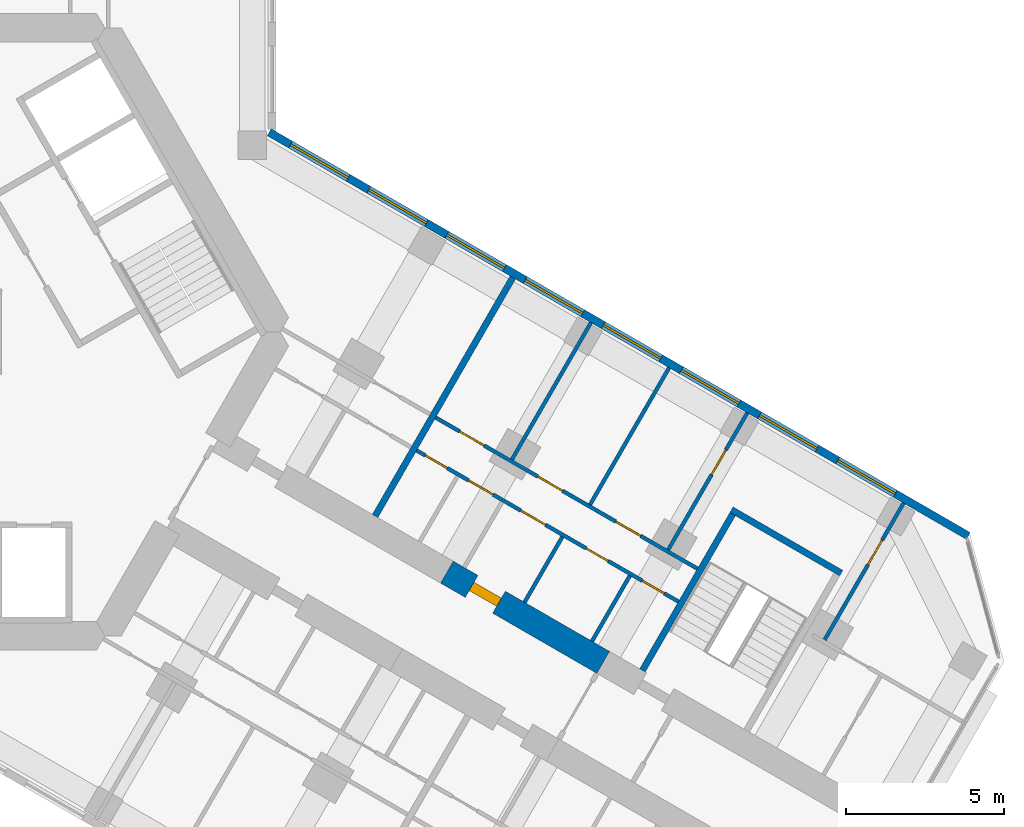
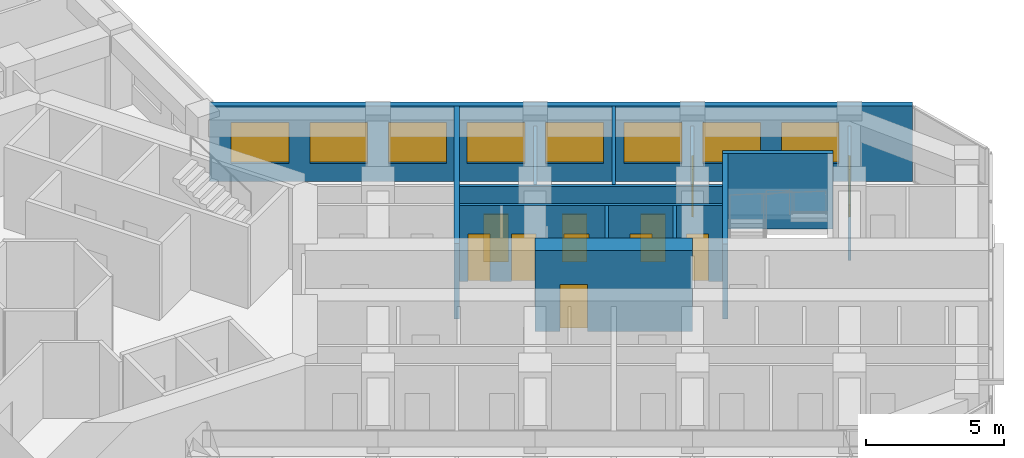
# One storey, part 16 of 20: 13 walls, 11 doors, 8 windows, 19 openings.
"""IFC4 building model written with IfcOpenShell, lengths in metres."""

from ifc_helpers import new_model, si_unit, direction, frame, frame_2d, origin, place, context, subcontext, project, spatial, rectangle, extrude, material, layer, layer_set, type_object, element, fill, save


model = new_model("IFC4")

# Units and contexts
model_context = context("Model", 3, precision=1e-05, world=origin(), true_north=direction((0.0, 1.0)))
body_context = subcontext(model_context, "Body", "Model", "MODEL_VIEW")
ifc_project = project(units=[si_unit("LENGTHUNIT", "METRE"), si_unit("AREAUNIT", "SQUARE_METRE"), si_unit("VOLUMEUNIT", "CUBIC_METRE"), si_unit("PLANEANGLEUNIT", "RADIAN"), si_unit("MASSUNIT", "GRAM", prefix="KILO")], contexts=[model_context])

# Site, building, storey
site_placement = place(None, origin())
site = spatial("IfcSite", under=ifc_project, at=site_placement, CompositionType="ELEMENT")
building_placement = place(site_placement, origin())
building = spatial("IfcBuilding", under=site, at=building_placement, Name="Kosmar Iwan School Tower", CompositionType="ELEMENT")
storey_placement = place(building_placement, frame((0.0, 0.0, 179.60009765625)))
storey = spatial("IfcBuildingStorey", under=building, at=storey_placement, Name="L45", CompositionType="ELEMENT", Elevation=179.60009765625)

# Wall, opening, door
ifc_material_1 = material(Name="Concrete C50/60", Category="concrete")
ifc_layer_1 = layer(ifc_material_1, 0.800048828125)
ifc_layer_set_1 = layer_set([ifc_layer_1], Name="Corridor buttress wall 800")
wall_type_1 = type_object("IfcWallType", Name="Corridor buttress wall 800", PredefinedType="SHEAR", material=ifc_layer_set_1)
wall_1_placement = place(storey_placement, frame((16.34521484375, -7.58935546875, 0.0), z_axis=(0.0, 0.0, 1.0), x_axis=(0.866015111908, -0.50001782563, 0.0)))
wall_1 = element("IfcWall", 1, at=wall_1_placement, inside=storey, type_object=wall_type_1, Name="Corridor wall CL bay 2", PredefinedType="SHEAR", context=body_context, shape_type="SweptSolid", body=[
    extrude(rectangle(XDim=5.699951171875, YDim=0.800048828125, at=frame_2d((2.85009765625, 0.0))), origin(), (0.0, 0.0, 1.0), 3.599853515625),
])
opening_1_placement = place(wall_1_placement, frame((0.89990234375, 0.0, 0.0)))
opening_1 = element("IfcOpeningElement", 2, at=opening_1_placement, cuts=wall_1, Name="Opening D1", PredefinedType="OPENING", context=body_context, shape_type="SweptSolid", body=[
    extrude(rectangle(XDim=1.0, YDim=2.10009765625, at=frame_2d((0.5, 1.050048828125))), frame((0.0, 0.412109375, 0.0), z_axis=(0.0, -1.0, 0.0), x_axis=(1.0, 0.0, 0.0)), (0.0, 0.0, 1.0), 0.823974609375),
])
ifc_material_2 = material(Name="Timber fire door in steel frame", Category="steel")
door_type_1 = type_object("IfcDoorType", Name="Flat entrance door 1000x2100", OperationType="SINGLE_SWING_LEFT", PredefinedType="DOOR", material=ifc_material_2)
door_1_placement = place(opening_1_placement, origin())
door_1 = element("IfcDoor", 3, at=door_1_placement, inside=storey, type_object=door_type_1, Name="Flat L45-CL2 entrance door", OperationType="SINGLE_SWING_LEFT", OverallHeight=2.10009765625, OverallWidth=1.0, PredefinedType="DOOR", context=body_context, shape_type="SweptSolid", body=[
    extrude(rectangle(XDim=1.0, YDim=2.10009765625, at=frame_2d((0.5, 1.050048828125))), frame((0.0, 0.14990234375, 0.0), z_axis=(0.0, -1.0, 0.0), x_axis=(1.0, 0.0, 0.0)), (0.0, 0.0, 1.0), 0.300048828125),
])
fill(opening_1, door_1)

# Wall, openings, doors
ifc_material_3 = material(Name="Gypsum board on steel studs", Category="steel")
ifc_layer_2 = layer(ifc_material_3, 0.1201171875)
ifc_layer_set_2 = layer_set([ifc_layer_2], Name="Dwelling partition 120")
wall_type_2 = type_object("IfcWallType", Name="Dwelling partition 120", PredefinedType="PARTITIONING", material=ifc_layer_set_2)
wall_2_placement = place(storey_placement, frame((15.388671875, -3.74609375, 0.0), z_axis=(0.0, 0.0, 1.0), x_axis=(0.866017851049, -0.500013081493, 0.0)))
wall_2 = element("IfcWall", 4, at=wall_2_placement, inside=storey, type_object=wall_type_2, Name="Partition L45-CL2-W1", PredefinedType="PARTITIONING", context=body_context, shape_type="SweptSolid", body=[
    extrude(rectangle(XDim=9.550048828125, YDim=0.1201171875, at=frame_2d((4.77490234375, 0.0))), origin(), (0.0, 0.0, 1.0), 3.349853515625),
])
opening_2_placement = place(wall_2_placement, frame((0.3125, 0.0, 0.0)))
opening_2 = element("IfcOpeningElement", 5, at=opening_2_placement, cuts=wall_2, Name="Opening D3", PredefinedType="OPENING", context=body_context, shape_type="SweptSolid", body=[
    extrude(rectangle(XDim=0.800048828125, YDim=2.10009765625, at=frame_2d((0.39990234375, 1.050048828125))), frame((0.0, 0.072021484375, 0.0), z_axis=(0.0, -1.0, 0.0), x_axis=(1.0, 0.0, 0.0)), (0.0, 0.0, 1.0), 0.14404296875),
])
opening_3_placement = place(wall_2_placement, frame((1.887451171875, 0.0, 0.0)))
opening_3 = element("IfcOpeningElement", 6, at=opening_3_placement, cuts=wall_2, Name="Opening D2", PredefinedType="OPENING", context=body_context, shape_type="SweptSolid", body=[
    extrude(rectangle(XDim=0.89990234375, YDim=2.10009765625, at=frame_2d((0.449951171875, 1.050048828125))), frame((0.0, 0.072021484375, 0.0), z_axis=(0.0, -1.0, 0.0), x_axis=(1.0, 0.0, 0.0)), (0.0, 0.0, 1.0), 0.14404296875),
])
opening_4_placement = place(wall_2_placement, frame((3.800048828125, 0.0, 0.0)))
opening_4 = element("IfcOpeningElement", 7, at=opening_4_placement, cuts=wall_2, Name="Opening D2", PredefinedType="OPENING", context=body_context, shape_type="SweptSolid", body=[
    extrude(rectangle(XDim=0.89990234375, YDim=2.10009765625, at=frame_2d((0.449951171875, 1.050048828125))), frame((0.0, 0.072021484375, 0.0), z_axis=(0.0, -1.0, 0.0), x_axis=(1.0, 0.0, 0.0)), (0.0, 0.0, 1.0), 0.14404296875),
])
opening_5_placement = place(wall_2_placement, frame((6.179931640625, 0.0, 0.0)))
opening_5 = element("IfcOpeningElement", 8, at=opening_5_placement, cuts=wall_2, Name="Opening D3", PredefinedType="OPENING", context=body_context, shape_type="SweptSolid", body=[
    extrude(rectangle(XDim=0.800048828125, YDim=2.10009765625, at=frame_2d((0.39990234375, 1.050048828125))), frame((0.0, 0.072021484375, 0.0), z_axis=(0.0, -1.0, 0.0), x_axis=(1.0, 0.0, 0.0)), (0.0, 0.0, 1.0), 0.14404296875),
])
opening_6_placement = place(wall_2_placement, frame((8.22998046875, 0.0, 0.0)))
opening_6 = element("IfcOpeningElement", 9, at=opening_6_placement, cuts=wall_2, Name="Opening D3", PredefinedType="OPENING", context=body_context, shape_type="SweptSolid", body=[
    extrude(rectangle(XDim=0.800048828125, YDim=2.10009765625, at=frame_2d((0.39990234375, 1.050048828125))), frame((0.0, 0.072021484375, 0.0), z_axis=(0.0, -1.0, 0.0), x_axis=(1.0, 0.0, 0.0)), (0.0, 0.0, 1.0), 0.14404296875),
])
ifc_material_4 = material(Name="Timber door in timber frame", Category="wood")
door_type_2 = type_object("IfcDoorType", Name="Internal door 900x2100", OperationType="SINGLE_SWING_LEFT", PredefinedType="DOOR", material=ifc_material_4)
door_2_placement = place(opening_3_placement, frame((0.89990234375, 0.0, 0.0), z_axis=(0.0, 0.0, 1.0), x_axis=(-1.0, 0.0, 0.0)))
door_2 = element("IfcDoor", 10, at=door_2_placement, inside=storey, type_object=door_type_2, Name="Pantry door L45-CL2-S2", OperationType="SINGLE_SWING_RIGHT", OverallHeight=2.10009765625, OverallWidth=0.89990234375, PredefinedType="DOOR", context=body_context, shape_type="SweptSolid", body=[
    extrude(rectangle(XDim=0.89990234375, YDim=2.10009765625, at=frame_2d((0.449951171875, 1.050048828125))), frame((0.0, 0.02490234375, 0.0), z_axis=(0.0, -1.0, 0.0), x_axis=(1.0, 0.0, 0.0)), (0.0, 0.0, 1.0), 0.050048828125),
])
fill(opening_3, door_2)
door_3_placement = place(opening_4_placement, origin())
door_3 = element("IfcDoor", 11, at=door_3_placement, inside=storey, type_object=door_type_2, Name="Entrance hall door L45-CL2-S3", OperationType="SINGLE_SWING_LEFT", OverallHeight=2.10009765625, OverallWidth=0.89990234375, PredefinedType="DOOR", context=body_context, shape_type="SweptSolid", body=[
    extrude(rectangle(XDim=0.89990234375, YDim=2.10009765625, at=frame_2d((0.449951171875, 1.050048828125))), frame((0.0, 0.02490234375, 0.0), z_axis=(0.0, -1.0, 0.0), x_axis=(1.0, 0.0, 0.0)), (0.0, 0.0, 1.0), 0.050048828125),
])
fill(opening_4, door_3)
ifc_material_5 = material(Name="Timber door in timber frame", Category="wood")
door_type_3 = type_object("IfcDoorType", Name="Sanitary room door 800x2100", OperationType="SINGLE_SWING_LEFT", PredefinedType="DOOR", material=ifc_material_5)
door_4_placement = place(opening_2_placement, origin())
door_4 = element("IfcDoor", 12, at=door_4_placement, inside=storey, type_object=door_type_3, Name="Store door L45-CL2-S1", OperationType="SINGLE_SWING_LEFT", OverallHeight=2.10009765625, OverallWidth=0.800048828125, PredefinedType="DOOR", context=body_context, shape_type="SweptSolid", body=[
    extrude(rectangle(XDim=0.800048828125, YDim=2.10009765625, at=frame_2d((0.39990234375, 1.050048828125))), frame((0.0, 0.02490234375, 0.0), z_axis=(0.0, -1.0, 0.0), x_axis=(1.0, 0.0, 0.0)), (0.0, 0.0, 1.0), 0.050048828125),
])
fill(opening_2, door_4)
door_5_placement = place(opening_5_placement, origin())
door_5 = element("IfcDoor", 13, at=door_5_placement, inside=storey, type_object=door_type_3, Name="Bathroom door L45-CL2-S4", OperationType="SINGLE_SWING_RIGHT", OverallHeight=2.10009765625, OverallWidth=0.800048828125, PredefinedType="DOOR", context=body_context, shape_type="SweptSolid", body=[
    extrude(rectangle(XDim=0.800048828125, YDim=2.10009765625, at=frame_2d((0.39990234375, 1.050048828125))), frame((0.0, 0.02490234375, 0.0), z_axis=(0.0, -1.0, 0.0), x_axis=(1.0, 0.0, 0.0)), (0.0, 0.0, 1.0), 0.050048828125),
])
fill(opening_5, door_5)
door_6_placement = place(opening_6_placement, origin())
door_6 = element("IfcDoor", 14, at=door_6_placement, inside=storey, type_object=door_type_3, Name="WC door L45-CL2-S5", OperationType="SINGLE_SWING_RIGHT", OverallHeight=2.10009765625, OverallWidth=0.800048828125, PredefinedType="DOOR", context=body_context, shape_type="SweptSolid", body=[
    extrude(rectangle(XDim=0.800048828125, YDim=2.10009765625, at=frame_2d((0.39990234375, 1.050048828125))), frame((0.0, 0.02490234375, 0.0), z_axis=(0.0, -1.0, 0.0), x_axis=(1.0, 0.0, 0.0)), (0.0, 0.0, 1.0), 0.050048828125),
])
fill(opening_6, door_6)

wall_3_placement = place(storey_placement, frame((15.988525390625, -2.70703125, 0.0), z_axis=(0.0, 0.0, 1.0), x_axis=(0.866028920859, -0.499993908199, 0.0)))
wall_3 = element("IfcWall", 15, at=wall_3_placement, inside=storey, type_object=wall_type_2, Name="Partition L45-CL2-W2", PredefinedType="PARTITIONING", context=body_context, shape_type="SweptSolid", body=[
    extrude(rectangle(XDim=9.5498046875, YDim=0.1201171875, at=frame_2d((4.77490234375, 0.0))), origin(), (0.0, 0.0, 1.0), 3.349853515625),
])
opening_7_placement = place(wall_3_placement, frame((0.875, 0.0, 0.0)))
opening_7 = element("IfcOpeningElement", 16, at=opening_7_placement, cuts=wall_3, Name="Opening D2", PredefinedType="OPENING", context=body_context, shape_type="SweptSolid", body=[
    extrude(rectangle(XDim=0.89990234375, YDim=2.10009765625, at=frame_2d((0.449951171875, 1.050048828125))), frame((0.0, 0.072021484375, 0.0), z_axis=(0.0, -1.0, 0.0), x_axis=(1.0, 0.0, 0.0)), (0.0, 0.0, 1.0), 0.14404296875),
])
opening_8_placement = place(wall_3_placement, frame((3.72509765625, 0.0, 0.0)))
opening_8 = element("IfcOpeningElement", 17, at=opening_8_placement, cuts=wall_3, Name="Opening D2", PredefinedType="OPENING", context=body_context, shape_type="SweptSolid", body=[
    extrude(rectangle(XDim=0.89990234375, YDim=2.10009765625, at=frame_2d((0.449951171875, 1.050048828125))), frame((0.0, 0.072021484375, 0.0), z_axis=(0.0, -1.0, 0.0), x_axis=(1.0, 0.0, 0.0)), (0.0, 0.0, 1.0), 0.14404296875),
])
opening_9_placement = place(wall_3_placement, frame((6.574951171875, 0.0, 0.0)))
opening_9 = element("IfcOpeningElement", 18, at=opening_9_placement, cuts=wall_3, Name="Opening D2", PredefinedType="OPENING", context=body_context, shape_type="SweptSolid", body=[
    extrude(rectangle(XDim=0.89990234375, YDim=2.10009765625, at=frame_2d((0.449951171875, 1.050048828125))), frame((0.0, 0.072021484375, 0.0), z_axis=(0.0, -1.0, 0.0), x_axis=(1.0, 0.0, 0.0)), (0.0, 0.0, 1.0), 0.14404296875),
])
door_7_placement = place(opening_7_placement, origin())
door_7 = element("IfcDoor", 19, at=door_7_placement, inside=storey, type_object=door_type_2, Name="Guest reception room door L45-CL2-F1", OperationType="SINGLE_SWING_RIGHT", OverallHeight=2.10009765625, OverallWidth=0.89990234375, PredefinedType="DOOR", context=body_context, shape_type="SweptSolid", body=[
    extrude(rectangle(XDim=0.89990234375, YDim=2.10009765625, at=frame_2d((0.449951171875, 1.050048828125))), frame((0.0, 0.02490234375, 0.0), z_axis=(0.0, -1.0, 0.0), x_axis=(1.0, 0.0, 0.0)), (0.0, 0.0, 1.0), 0.050048828125),
])
fill(opening_7, door_7)
door_8_placement = place(opening_8_placement, origin())
door_8 = element("IfcDoor", 20, at=door_8_placement, inside=storey, type_object=door_type_2, Name="Family room and kitchen door L45-CL2-F2", OperationType="SINGLE_SWING_LEFT", OverallHeight=2.10009765625, OverallWidth=0.89990234375, PredefinedType="DOOR", context=body_context, shape_type="SweptSolid", body=[
    extrude(rectangle(XDim=0.89990234375, YDim=2.10009765625, at=frame_2d((0.449951171875, 1.050048828125))), frame((0.0, 0.02490234375, 0.0), z_axis=(0.0, -1.0, 0.0), x_axis=(1.0, 0.0, 0.0)), (0.0, 0.0, 1.0), 0.050048828125),
])
fill(opening_8, door_8)
door_9_placement = place(opening_9_placement, origin())
door_9 = element("IfcDoor", 21, at=door_9_placement, inside=storey, type_object=door_type_2, Name="Bedroom 1 door L45-CL2-F3", OperationType="SINGLE_SWING_RIGHT", OverallHeight=2.10009765625, OverallWidth=0.89990234375, PredefinedType="DOOR", context=body_context, shape_type="SweptSolid", body=[
    extrude(rectangle(XDim=0.89990234375, YDim=2.10009765625, at=frame_2d((0.449951171875, 1.050048828125))), frame((0.0, 0.02490234375, 0.0), z_axis=(0.0, -1.0, 0.0), x_axis=(1.0, 0.0, 0.0)), (0.0, 0.0, 1.0), 0.050048828125),
])
fill(opening_9, door_9)

# Walls
wall_4_placement = place(storey_placement, frame((18.400146484375, -4.030029296875, 0.0), z_axis=(0.0, 0.0, 1.0), x_axis=(0.500011847778, 0.866018563358, 0.0)))
element("IfcWall", 22, at=wall_4_placement, inside=storey, type_object=wall_type_2, Name="Partition L45-CL2-X1", PredefinedType="PARTITIONING", context=body_context, shape_type="SweptSolid", body=[
    extrude(rectangle(XDim=4.990234375, YDim=0.1201171875, at=frame_2d((2.4951171875, 0.0))), origin(), (0.0, 0.0, 1.0), 2.449951171875),
])
wall_5_placement = place(storey_placement, frame((20.868408203125, -5.455078125, 0.0), z_axis=(0.0, 0.0, 1.0), x_axis=(0.499975153383, 0.86603974851, 0.0)))
element("IfcWall", 23, at=wall_5_placement, inside=storey, type_object=wall_type_2, Name="Partition L45-CL2-X2", PredefinedType="PARTITIONING", context=body_context, shape_type="SweptSolid", body=[
    extrude(rectangle(XDim=4.989990234375, YDim=0.1201171875, at=frame_2d((2.4951171875, 0.0))), origin(), (0.0, 0.0, 1.0), 3.349853515625),
])
for number, where, z_axis, x_axis, name in (
    (24, (18.796875, -8.54296875, 0.0), (0.0, 0.0, 1.0), (0.500017192868, 0.86601547725, 0.0), "Partition L45-CL2-Y3"),
    (25, (20.92724609375, -9.77294921875, 0.0), (0.0, 0.0, 1.0), (0.500017192868, 0.86601547725, 0.0), "Partition L45-CL2-Y4"),
):
    element("IfcWall", number, at=place(storey_placement, frame(where, z_axis=z_axis, x_axis=x_axis)), inside=storey, type_object=wall_type_2, Name=name, PredefinedType="PARTITIONING", context=body_context, shape_type="SweptSolid", body=[
        extrude(rectangle(XDim=2.39013671875, YDim=0.1201171875, at=frame_2d((1.195068359375, 0.0))), origin(), (0.0, 0.0, 1.0), 3.349853515625),
    ])

# Wall, opening, door
wall_6_placement = place(storey_placement, frame((23.33642578125, -6.8798828125, 0.0), z_axis=(0.0, 0.0, 1.0), x_axis=(0.500033033937, 0.866006330792, 0.0)))
wall_6 = element("IfcWall", 26, at=wall_6_placement, inside=storey, type_object=wall_type_2, Name="Partition L45-CL2-TB", PredefinedType="PARTITIONING", context=body_context, shape_type="SweptSolid", body=[
    extrude(rectangle(XDim=4.989990234375, YDim=0.1201171875, at=frame_2d((2.4951171875, 0.0))), origin(), (0.0, 0.0, 1.0), 2.449951171875),
])
opening_10_placement = place(wall_6_placement, frame((2.739990234375, 0.0, 0.0)))
opening_10 = element("IfcOpeningElement", 27, at=opening_10_placement, cuts=wall_6, Name="Opening D2", PredefinedType="OPENING", context=body_context, shape_type="SweptSolid", body=[
    extrude(rectangle(XDim=0.89990234375, YDim=2.10009765625, at=frame_2d((0.449951171875, 1.050048828125))), frame((0.0, 0.072021484375, 0.0), z_axis=(0.0, -1.0, 0.0), x_axis=(1.0, 0.0, 0.0)), (0.0, 0.0, 1.0), 0.14404296875),
])
door_10_placement = place(opening_10_placement, origin())
door_10 = element("IfcDoor", 28, at=door_10_placement, inside=storey, type_object=door_type_2, Name="Study door L45-CL2-F3", OperationType="SINGLE_SWING_RIGHT", OverallHeight=2.10009765625, OverallWidth=0.89990234375, PredefinedType="DOOR", context=body_context, shape_type="SweptSolid", body=[
    extrude(rectangle(XDim=0.89990234375, YDim=2.10009765625, at=frame_2d((0.449951171875, 1.050048828125))), frame((0.0, 0.02490234375, 0.0), z_axis=(0.0, -1.0, 0.0), x_axis=(1.0, 0.0, 0.0)), (0.0, 0.0, 1.0), 0.050048828125),
])
fill(opening_10, door_10)

wall_7_placement = place(storey_placement, frame((28.27294921875, -9.72998046875, 0.0), z_axis=(0.0, 0.0, 1.0), x_axis=(0.499975153383, 0.86603974851, 0.0)))
wall_7 = element("IfcWall", 29, at=wall_7_placement, inside=storey, type_object=wall_type_2, Name="Partition L45-CL2-TX", PredefinedType="PARTITIONING", context=body_context, shape_type="SweptSolid", body=[
    extrude(rectangle(XDim=4.989990234375, YDim=0.1201171875, at=frame_2d((2.4951171875, 0.0))), origin(), (0.0, 0.0, 1.0), 2.449951171875),
])
opening_11_placement = place(wall_7_placement, frame((2.739990234375, 0.0, 0.0)))
opening_11 = element("IfcOpeningElement", 30, at=opening_11_placement, cuts=wall_7, Name="Opening D2", PredefinedType="OPENING", context=body_context, shape_type="SweptSolid", body=[
    extrude(rectangle(XDim=0.89990234375, YDim=2.10009765625, at=frame_2d((0.449951171875, 1.050048828125))), frame((0.0, 0.072021484375, 0.0), z_axis=(0.0, -1.0, 0.0), x_axis=(1.0, 0.0, 0.0)), (0.0, 0.0, 1.0), 0.14404296875),
])
door_11_placement = place(opening_11_placement, origin())
door_11 = element("IfcDoor", 31, at=door_11_placement, inside=storey, type_object=door_type_2, Name="Study door L45-CL2-T1", OperationType="SINGLE_SWING_RIGHT", OverallHeight=2.10009765625, OverallWidth=0.89990234375, PredefinedType="DOOR", context=body_context, shape_type="SweptSolid", body=[
    extrude(rectangle(XDim=0.89990234375, YDim=2.10009765625, at=frame_2d((0.449951171875, 1.050048828125))), frame((0.0, 0.02490234375, 0.0), z_axis=(0.0, -1.0, 0.0), x_axis=(1.0, 0.0, 0.0)), (0.0, 0.0, 1.0), 0.050048828125),
])
fill(opening_11, door_11)

# Walls
ifc_material_6 = material(Name="Concrete C35/45", Category="concrete")
ifc_layer_3 = layer(ifc_material_6, 0.199951171875)
ifc_layer_set_3 = layer_set([ifc_layer_3], Name="Escape stair wall 200")
wall_type_3 = type_object("IfcWallType", Name="Escape stair wall 200", PredefinedType="SHEAR", material=ifc_layer_set_3)
wall_8_placement = place(storey_placement, frame((22.520751953125, -10.69287109375, 0.0), z_axis=(0.0, 0.0, 1.0), x_axis=(0.500006628179, 0.86602157697, 0.0)))
element("IfcWall", 32, at=wall_8_placement, inside=storey, type_object=wall_type_3, Name="Stair WS3 wall", PredefinedType="SHEAR", context=body_context, shape_type="SweptSolid", body=[
    extrude(rectangle(XDim=5.89990234375, YDim=0.199951171875, at=frame_2d((2.949951171875, 0.0))), origin(), (0.0, 0.0, 1.0), 3.329833984375),
])
wall_9_placement = place(storey_placement, frame((25.334228515625, -5.6201171875, 0.0), z_axis=(0.0, 0.0, 1.0), x_axis=(0.866026010844, -0.49999894854, 0.0)))
element("IfcWall", 33, at=wall_9_placement, inside=storey, type_object=wall_type_3, Name="Stair WS3 wall", PredefinedType="SHEAR", context=body_context, shape_type="SweptSolid", body=[
    extrude(rectangle(XDim=4.0, YDim=0.199951171875, at=frame_2d((2.0, 0.0))), origin(), (0.0, 0.0, 1.0), 3.329833984375),
])

# Wall, openings, windows
ifc_material_7 = material(Name="Black aluminium rainscreen on insulated framing", Category="aluminium")
ifc_layer_4 = layer(ifc_material_7, 0.25)
ifc_layer_set_4 = layer_set([ifc_layer_4], Name="External wall rainscreen 250")
wall_type_4 = type_object("IfcWallType", Name="External wall rainscreen 250", PredefinedType="SOLIDWALL", material=ifc_layer_set_4)
wall_10_placement = place(storey_placement, frame((10.73681640625, 6.30078125, 0.0), z_axis=(0.0, 0.0, 1.0), x_axis=(0.866026390279, -0.499998291337, 0.0)))
wall_10 = element("IfcWall", 34, at=wall_10_placement, inside=storey, type_object=wall_type_4, Name="External wall CL L45", PredefinedType="SOLIDWALL", context=body_context, shape_type="SweptSolid", body=[
    extrude(rectangle(XDim=25.4873046875, YDim=0.25, at=frame_2d((12.74365234375, 0.0))), origin(), (0.0, 0.0, 1.0), 3.349853515625),
])
opening_12_placement = place(wall_10_placement, frame((0.777099609375, 0.0, 0.800048828125)))
opening_12 = element("IfcOpeningElement", 35, at=opening_12_placement, cuts=wall_10, Name="Opening W4", PredefinedType="OPENING", context=body_context, shape_type="SweptSolid", body=[
    extrude(rectangle(XDim=2.10009765625, YDim=1.800048828125, at=frame_2d((1.050048828125, 0.89990234375))), frame((0.0, 0.136962890625, 0.0), z_axis=(0.0, -1.0, 0.0), x_axis=(1.0, 0.0, 0.0)), (0.0, 0.0, 1.0), 0.27392578125),
])
opening_13_placement = place(wall_10_placement, frame((3.626953125, 0.0, 0.800048828125)))
opening_13 = element("IfcOpeningElement", 36, at=opening_13_placement, cuts=wall_10, Name="Opening W4", PredefinedType="OPENING", context=body_context, shape_type="SweptSolid", body=[
    extrude(rectangle(XDim=2.10009765625, YDim=1.800048828125, at=frame_2d((1.050048828125, 0.89990234375))), frame((0.0, 0.136962890625, 0.0), z_axis=(0.0, -1.0, 0.0), x_axis=(1.0, 0.0, 0.0)), (0.0, 0.0, 1.0), 0.27392578125),
])
opening_14_placement = place(wall_10_placement, frame((6.47705078125, 0.0, 0.800048828125)))
opening_14 = element("IfcOpeningElement", 37, at=opening_14_placement, cuts=wall_10, Name="Opening W4", PredefinedType="OPENING", context=body_context, shape_type="SweptSolid", body=[
    extrude(rectangle(XDim=2.10009765625, YDim=1.800048828125, at=frame_2d((1.050048828125, 0.89990234375))), frame((0.0, 0.136962890625, 0.0), z_axis=(0.0, -1.0, 0.0), x_axis=(1.0, 0.0, 0.0)), (0.0, 0.0, 1.0), 0.27392578125),
])
opening_15_placement = place(wall_10_placement, frame((9.326904296875, 0.0, 0.800048828125)))
opening_15 = element("IfcOpeningElement", 38, at=opening_15_placement, cuts=wall_10, Name="Opening W4", PredefinedType="OPENING", context=body_context, shape_type="SweptSolid", body=[
    extrude(rectangle(XDim=2.10009765625, YDim=1.800048828125, at=frame_2d((1.050048828125, 0.89990234375))), frame((0.0, 0.136962890625, 0.0), z_axis=(0.0, -1.0, 0.0), x_axis=(1.0, 0.0, 0.0)), (0.0, 0.0, 1.0), 0.27392578125),
])
opening_16_placement = place(wall_10_placement, frame((12.177001953125, 0.0, 0.800048828125)))
opening_16 = element("IfcOpeningElement", 39, at=opening_16_placement, cuts=wall_10, Name="Opening W4", PredefinedType="OPENING", context=body_context, shape_type="SweptSolid", body=[
    extrude(rectangle(XDim=2.10009765625, YDim=1.800048828125, at=frame_2d((1.050048828125, 0.89990234375))), frame((0.0, 0.136962890625, 0.0), z_axis=(0.0, -1.0, 0.0), x_axis=(1.0, 0.0, 0.0)), (0.0, 0.0, 1.0), 0.27392578125),
])
opening_17_placement = place(wall_10_placement, frame((15.027099609375, 0.0, 0.800048828125)))
opening_17 = element("IfcOpeningElement", 40, at=opening_17_placement, cuts=wall_10, Name="Opening W4", PredefinedType="OPENING", context=body_context, shape_type="SweptSolid", body=[
    extrude(rectangle(XDim=2.10009765625, YDim=1.800048828125, at=frame_2d((1.050048828125, 0.89990234375))), frame((0.0, 0.136962890625, 0.0), z_axis=(0.0, -1.0, 0.0), x_axis=(1.0, 0.0, 0.0)), (0.0, 0.0, 1.0), 0.27392578125),
])
opening_18_placement = place(wall_10_placement, frame((17.876953125, 0.0, 0.800048828125)))
opening_18 = element("IfcOpeningElement", 41, at=opening_18_placement, cuts=wall_10, Name="Opening W4", PredefinedType="OPENING", context=body_context, shape_type="SweptSolid", body=[
    extrude(rectangle(XDim=2.10009765625, YDim=1.800048828125, at=frame_2d((1.050048828125, 0.89990234375))), frame((0.0, 0.136962890625, 0.0), z_axis=(0.0, -1.0, 0.0), x_axis=(1.0, 0.0, 0.0)), (0.0, 0.0, 1.0), 0.27392578125),
])
opening_19_placement = place(wall_10_placement, frame((20.72705078125, 0.0, 0.800048828125)))
opening_19 = element("IfcOpeningElement", 42, at=opening_19_placement, cuts=wall_10, Name="Opening W4", PredefinedType="OPENING", context=body_context, shape_type="SweptSolid", body=[
    extrude(rectangle(XDim=2.10009765625, YDim=1.800048828125, at=frame_2d((1.050048828125, 0.89990234375))), frame((0.0, 0.136962890625, 0.0), z_axis=(0.0, -1.0, 0.0), x_axis=(1.0, 0.0, 0.0)), (0.0, 0.0, 1.0), 0.27392578125),
])
ifc_material_8 = material(Name="Black aluminium frame with dark triple glazing", Category="aluminium")
window_type = type_object("IfcWindowType", Name="Window 2100x1800", PartitioningType="SINGLE_PANEL", PredefinedType="WINDOW", material=ifc_material_8)
window_1_placement = place(opening_12_placement, origin())
window_1 = element("IfcWindow", 43, at=window_1_placement, inside=storey, type_object=window_type, Name="Window CL L45 -1", OverallHeight=1.800048828125, OverallWidth=2.10009765625, PartitioningType="SINGLE_PANEL", PredefinedType="WINDOW", context=body_context, shape_type="SweptSolid", body=[
    extrude(rectangle(XDim=2.10009765625, YDim=1.800048828125, at=frame_2d((1.050048828125, 0.89990234375))), frame((0.0, 0.030029296875, 0.0), z_axis=(0.0, -1.0, 0.0), x_axis=(1.0, 0.0, 0.0)), (0.0, 0.0, 1.0), 0.06005859375),
])
fill(opening_12, window_1)
window_2_placement = place(opening_13_placement, origin())
window_2 = element("IfcWindow", 44, at=window_2_placement, inside=storey, type_object=window_type, Name="Window CL L45 0", OverallHeight=1.800048828125, OverallWidth=2.10009765625, PartitioningType="SINGLE_PANEL", PredefinedType="WINDOW", context=body_context, shape_type="SweptSolid", body=[
    extrude(rectangle(XDim=2.10009765625, YDim=1.800048828125, at=frame_2d((1.050048828125, 0.89990234375))), frame((0.0, 0.030029296875, 0.0), z_axis=(0.0, -1.0, 0.0), x_axis=(1.0, 0.0, 0.0)), (0.0, 0.0, 1.0), 0.06005859375),
])
fill(opening_13, window_2)
window_3_placement = place(opening_14_placement, origin())
window_3 = element("IfcWindow", 45, at=window_3_placement, inside=storey, type_object=window_type, Name="Window CL L45 1", OverallHeight=1.800048828125, OverallWidth=2.10009765625, PartitioningType="SINGLE_PANEL", PredefinedType="WINDOW", context=body_context, shape_type="SweptSolid", body=[
    extrude(rectangle(XDim=2.10009765625, YDim=1.800048828125, at=frame_2d((1.050048828125, 0.89990234375))), frame((0.0, 0.030029296875, 0.0), z_axis=(0.0, -1.0, 0.0), x_axis=(1.0, 0.0, 0.0)), (0.0, 0.0, 1.0), 0.06005859375),
])
fill(opening_14, window_3)
window_4_placement = place(opening_15_placement, origin())
window_4 = element("IfcWindow", 46, at=window_4_placement, inside=storey, type_object=window_type, Name="Window CL L45 2", OverallHeight=1.800048828125, OverallWidth=2.10009765625, PartitioningType="SINGLE_PANEL", PredefinedType="WINDOW", context=body_context, shape_type="SweptSolid", body=[
    extrude(rectangle(XDim=2.10009765625, YDim=1.800048828125, at=frame_2d((1.050048828125, 0.89990234375))), frame((0.0, 0.030029296875, 0.0), z_axis=(0.0, -1.0, 0.0), x_axis=(1.0, 0.0, 0.0)), (0.0, 0.0, 1.0), 0.06005859375),
])
fill(opening_15, window_4)
window_5_placement = place(opening_16_placement, origin())
window_5 = element("IfcWindow", 47, at=window_5_placement, inside=storey, type_object=window_type, Name="Window CL L45 3", OverallHeight=1.800048828125, OverallWidth=2.10009765625, PartitioningType="SINGLE_PANEL", PredefinedType="WINDOW", context=body_context, shape_type="SweptSolid", body=[
    extrude(rectangle(XDim=2.10009765625, YDim=1.800048828125, at=frame_2d((1.050048828125, 0.89990234375))), frame((0.0, 0.030029296875, 0.0), z_axis=(0.0, -1.0, 0.0), x_axis=(1.0, 0.0, 0.0)), (0.0, 0.0, 1.0), 0.06005859375),
])
fill(opening_16, window_5)
window_6_placement = place(opening_17_placement, origin())
window_6 = element("IfcWindow", 48, at=window_6_placement, inside=storey, type_object=window_type, Name="Window CL L45 4", OverallHeight=1.800048828125, OverallWidth=2.10009765625, PartitioningType="SINGLE_PANEL", PredefinedType="WINDOW", context=body_context, shape_type="SweptSolid", body=[
    extrude(rectangle(XDim=2.10009765625, YDim=1.800048828125, at=frame_2d((1.050048828125, 0.89990234375))), frame((0.0, 0.030029296875, 0.0), z_axis=(0.0, -1.0, 0.0), x_axis=(1.0, 0.0, 0.0)), (0.0, 0.0, 1.0), 0.06005859375),
])
fill(opening_17, window_6)
window_7_placement = place(opening_18_placement, origin())
window_7 = element("IfcWindow", 49, at=window_7_placement, inside=storey, type_object=window_type, Name="Window CL L45 5", OverallHeight=1.800048828125, OverallWidth=2.10009765625, PartitioningType="SINGLE_PANEL", PredefinedType="WINDOW", context=body_context, shape_type="SweptSolid", body=[
    extrude(rectangle(XDim=2.10009765625, YDim=1.800048828125, at=frame_2d((1.050048828125, 0.89990234375))), frame((0.0, 0.030029296875, 0.0), z_axis=(0.0, -1.0, 0.0), x_axis=(1.0, 0.0, 0.0)), (0.0, 0.0, 1.0), 0.06005859375),
])
fill(opening_18, window_7)
window_8_placement = place(opening_19_placement, origin())
window_8 = element("IfcWindow", 50, at=window_8_placement, inside=storey, type_object=window_type, Name="Window CL L45 6", OverallHeight=1.800048828125, OverallWidth=2.10009765625, PartitioningType="SINGLE_PANEL", PredefinedType="WINDOW", context=body_context, shape_type="SweptSolid", body=[
    extrude(rectangle(XDim=2.10009765625, YDim=1.800048828125, at=frame_2d((1.050048828125, 0.89990234375))), frame((0.0, 0.030029296875, 0.0), z_axis=(0.0, -1.0, 0.0), x_axis=(1.0, 0.0, 0.0)), (0.0, 0.0, 1.0), 0.06005859375),
])
fill(opening_19, window_8)

# Wall
ifc_material_9 = material(Name="Concrete block masonry", Category="masonry")
ifc_layer_5 = layer(ifc_material_9, 0.199951171875)
ifc_layer_set_5 = layer_set([ifc_layer_5], Name="Party wall 200")
wall_type_5 = type_object("IfcWallType", Name="Party wall 200", PredefinedType="PARTITIONING", material=ifc_layer_set_5)
wall_11_placement = place(storey_placement, frame((14.076904296875, -5.81787109375, 0.0), z_axis=(0.0, 0.0, 1.0), x_axis=(0.500008278454, 0.866020624164, 0.0)))
element("IfcWall", 51, at=wall_11_placement, inside=storey, type_object=wall_type_5, Name="Partition L45-CL2-PW", PredefinedType="PARTITIONING", context=body_context, shape_type="SweptSolid", body=[
    extrude(rectangle(XDim=8.699951171875, YDim=0.199951171875, at=frame_2d((4.35009765625, 0.0))), origin(), (0.0, 0.0, 1.0), 3.349853515625),
])

save(model, "model.ifc")
